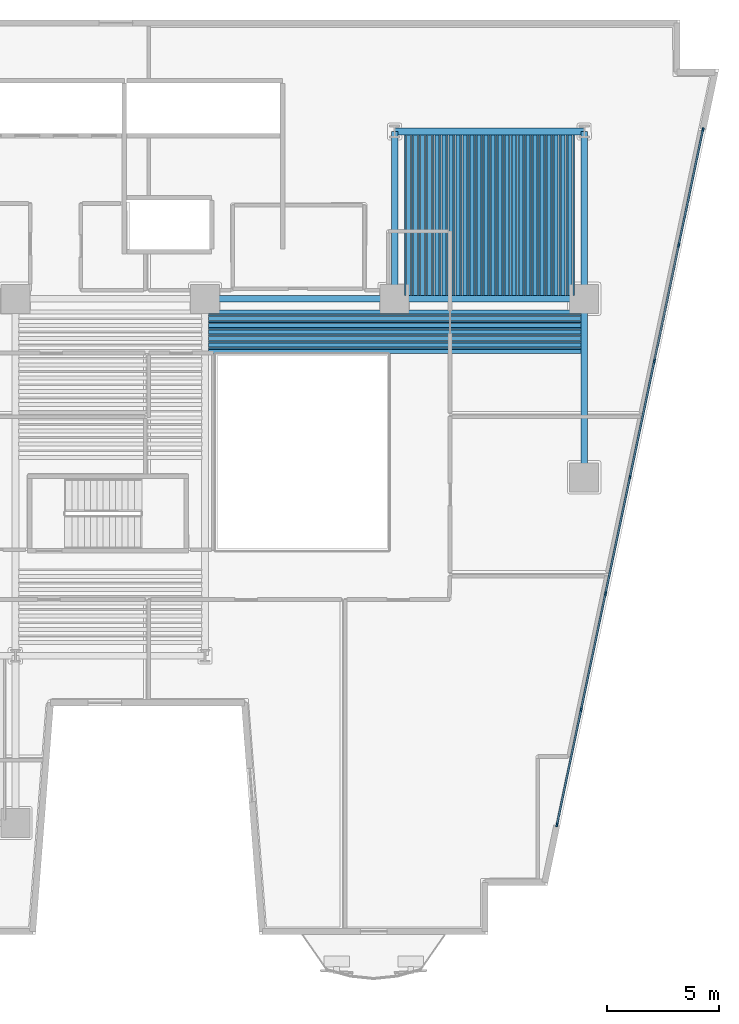
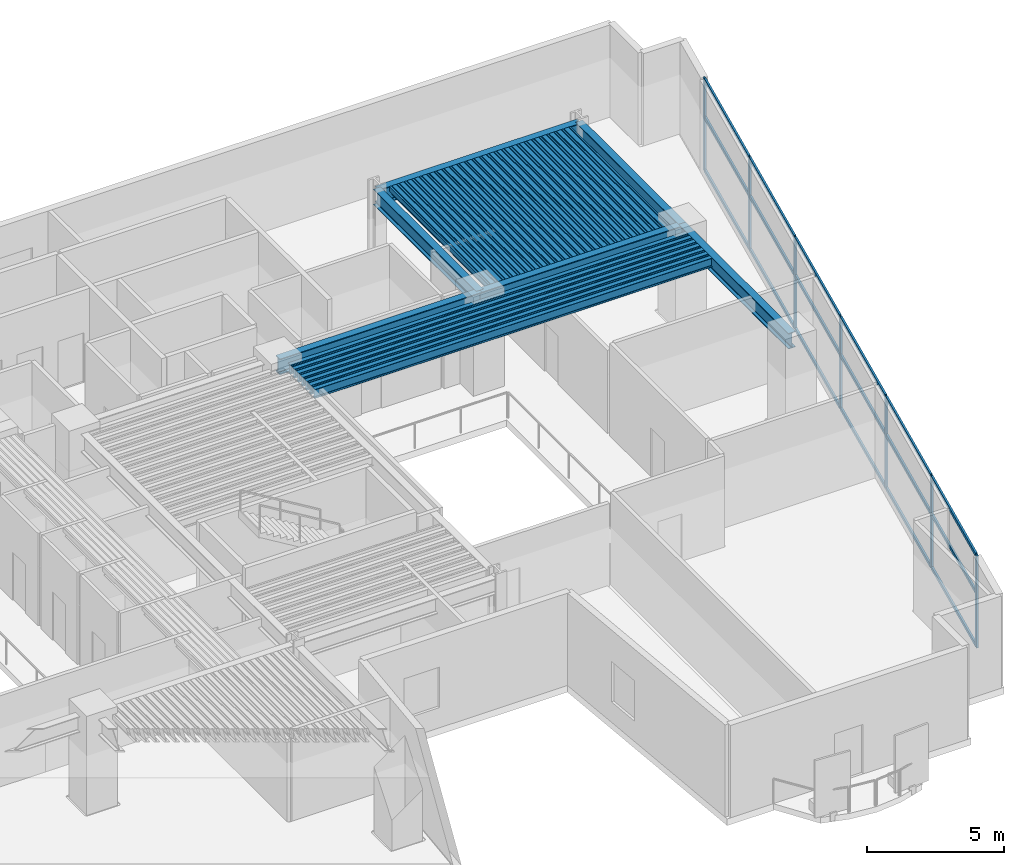
# One storey, part 2 of 11: 68 beams, 25 members, 1 element without a shape of its own.
"""IFC4 building model written with IfcOpenShell, lengths in metres."""

from ifc_helpers import new_model, si_unit, direction, frame, origin, origin_2d, place, context, subcontext, project, spatial, rectangle, hollow_rectangle, i_section, extrude, material, layer, layer_set, material_profile, profile_set, type_object, element, aggregate, save


model = new_model("IFC4")

# Units and contexts
model_context = context("Model", 3, precision=1e-05, world=origin(), true_north=direction((0.0, 1.0)))
body_context = subcontext(model_context, "Body", "Model", "MODEL_VIEW")
ifc_project = project(units=[si_unit("LENGTHUNIT", "METRE"), si_unit("AREAUNIT", "SQUARE_METRE"), si_unit("VOLUMEUNIT", "CUBIC_METRE"), si_unit("PLANEANGLEUNIT", "RADIAN"), si_unit("MASSUNIT", "GRAM", prefix="KILO")], contexts=[model_context])

# Site, building, storey
site_placement = place(None, origin())
site = spatial("IfcSite", under=ifc_project, at=site_placement, CompositionType="ELEMENT")
building_placement = place(site_placement, origin())
building = spatial("IfcBuilding", under=site, at=building_placement, Name="Caeloran Harvest Quay", CompositionType="ELEMENT")
storey_placement = place(building_placement, frame((0.0, 0.0, 53.39990234375)))
storey = spatial("IfcBuildingStorey", under=building, at=storey_placement, Name="L12", CompositionType="ELEMENT", Elevation=53.39990234375)

# Beams
ifc_material_1 = material(Name="Steel S355J2", Category="steel")
ifc_material_profile_1 = material_profile(ifc_material_1, i_section(OverallWidth=0.300048828125, OverallDepth=0.699951171875, WebThickness=0.01708984375, FlangeThickness=0.031982421875, FilletRadius=0.027099609375, at=origin_2d()), Name="HE 700 B")
ifc_profile_set_1 = profile_set([ifc_material_profile_1], Name="Steel S355J2")
beam_type_1 = type_object("IfcBeamType", Name="BM-PG-2-HE_700_B", PredefinedType="BEAM", material=ifc_profile_set_1)
for number, where, z_axis, x_axis, name in (
    (1, (34.0, 31.0, 3.75), (1.0, 0.0, 0.0), (0.0, 1.0, 0.0), "L12 Primary East-West Girder Y=31.0"),
    (2, (42.5, 31.0, 3.75), (1.0, 0.0, 0.0), (0.0, 1.0, 0.0), "L12 Primary East-West Girder Y=31.0"),
    (3, (42.5, 38.5, 3.75), (1.0, 0.0, 0.0), (0.0, 1.0, 0.0), "L12 Primary East-West Girder Y=38.5"),
):
    element("IfcBeam", number, at=place(storey_placement, frame(where, z_axis=z_axis, x_axis=x_axis)), inside=storey, type_object=beam_type_1, Name=name, PredefinedType="BEAM", context=body_context, shape_type="SweptSolid", body=[
        extrude(i_section(OverallWidth=0.300048828125, OverallDepth=0.699951171875, WebThickness=0.01708984375, FlangeThickness=0.031982421875, FilletRadius=0.027099609375, at=origin_2d()), origin(), (0.0, 0.0, 1.0), 8.5),
    ])
beam_1_placement = place(storey_placement, frame((42.5, 31.0, 3.75), z_axis=(0.0, 1.0, 0.0), x_axis=(-1.0, 0.0, 0.0)))
element("IfcBeam", 4, at=beam_1_placement, inside=storey, type_object=beam_type_1, Name="L12 Primary North-South Girder X=42.5", PredefinedType="BEAM", context=body_context, shape_type="SweptSolid", body=[
    extrude(i_section(OverallWidth=0.300048828125, OverallDepth=0.699951171875, WebThickness=0.01708984375, FlangeThickness=0.031982421875, FilletRadius=0.027099609375, at=origin_2d()), origin(), (0.0, 0.0, 1.0), 7.5),
])
beam_2_placement = place(storey_placement, frame((51.0, 23.0, 3.75), z_axis=(0.0, 1.0, 0.0), x_axis=(-1.0, 0.0, 0.0)))
element("IfcBeam", 5, at=beam_2_placement, inside=storey, type_object=beam_type_1, Name="L12 Primary North-South Girder X=51.0", PredefinedType="BEAM", context=body_context, shape_type="SweptSolid", body=[
    extrude(i_section(OverallWidth=0.300048828125, OverallDepth=0.699951171875, WebThickness=0.01708984375, FlangeThickness=0.031982421875, FilletRadius=0.027099609375, at=origin_2d()), origin(), (0.0, 0.0, 1.0), 8.0),
])
beam_3_placement = place(storey_placement, frame((51.0, 31.0, 3.75), z_axis=(0.0, 1.0, 0.0), x_axis=(-1.0, 0.0, 0.0)))
element("IfcBeam", 6, at=beam_3_placement, inside=storey, type_object=beam_type_1, Name="L12 Primary North-South Girder X=51.0", PredefinedType="BEAM", context=body_context, shape_type="SweptSolid", body=[
    extrude(i_section(OverallWidth=0.300048828125, OverallDepth=0.699951171875, WebThickness=0.01708984375, FlangeThickness=0.031982421875, FilletRadius=0.027099609375, at=origin_2d()), origin(), (0.0, 0.0, 1.0), 7.5),
])
ifc_material_profile_2 = material_profile(ifc_material_1, i_section(OverallWidth=0.179931640625, OverallDepth=0.39990234375, WebThickness=0.008544921875, FlangeThickness=0.013427734375, FilletRadius=0.02099609375, at=origin_2d()), Name="IPE 400")
ifc_profile_set_2 = profile_set([ifc_material_profile_2], Name="Steel S355J2")
beam_type_2 = type_object("IfcBeamType", Name="BM-SB-4-IPE_400", PredefinedType="JOIST", material=ifc_profile_set_2)
for number, where, z_axis, x_axis, name in (
    (7, (43.129638671875, 31.14501953125, 3.900146484375), (0.0, 1.0, 0.0), (-1.0, 0.0, 0.0), "L12 Secondary Composite Joist"),
    (8, (43.4443359375, 31.14501953125, 3.900146484375), (0.0, 1.0, 0.0), (-1.0, 0.0, 0.0), "L12 Secondary Composite Joist"),
    (9, (43.75927734375, 31.14501953125, 3.900146484375), (0.0, 1.0, 0.0), (-1.0, 0.0, 0.0), "L12 Secondary Composite Joist"),
    (10, (44.07421875, 31.14501953125, 3.900146484375), (0.0, 1.0, 0.0), (-1.0, 0.0, 0.0), "L12 Secondary Composite Joist"),
    (11, (44.388916015625, 31.14501953125, 3.900146484375), (0.0, 1.0, 0.0), (-1.0, 0.0, 0.0), "L12 Secondary Composite Joist"),
    (12, (44.70361328125, 31.14501953125, 3.900146484375), (0.0, 1.0, 0.0), (-1.0, 0.0, 0.0), "L12 Secondary Composite Joist"),
    (13, (45.0185546875, 31.14501953125, 3.900146484375), (0.0, 1.0, 0.0), (-1.0, 0.0, 0.0), "L12 Secondary Composite Joist"),
    (14, (45.333251953125, 31.14501953125, 3.900146484375), (0.0, 1.0, 0.0), (-1.0, 0.0, 0.0), "L12 Secondary Composite Joist"),
    (15, (45.648193359375, 31.14501953125, 3.900146484375), (0.0, 1.0, 0.0), (-1.0, 0.0, 0.0), "L12 Secondary Composite Joist"),
    (16, (45.962890625, 31.14501953125, 3.900146484375), (0.0, 1.0, 0.0), (-1.0, 0.0, 0.0), "L12 Secondary Composite Joist"),
    (17, (46.27783203125, 31.14501953125, 3.900146484375), (0.0, 1.0, 0.0), (-1.0, 0.0, 0.0), "L12 Secondary Composite Joist"),
    (18, (46.592529296875, 31.14501953125, 3.900146484375), (0.0, 1.0, 0.0), (-1.0, 0.0, 0.0), "L12 Secondary Composite Joist"),
    (19, (46.907470703125, 31.14501953125, 3.900146484375), (0.0, 1.0, 0.0), (-1.0, 0.0, 0.0), "L12 Secondary Composite Joist"),
    (20, (47.22216796875, 31.14501953125, 3.900146484375), (0.0, 1.0, 0.0), (-1.0, 0.0, 0.0), "L12 Secondary Composite Joist"),
    (21, (47.537109375, 31.14501953125, 3.900146484375), (0.0, 1.0, 0.0), (-1.0, 0.0, 0.0), "L12 Secondary Composite Joist"),
    (22, (47.851806640625, 31.14501953125, 3.900146484375), (0.0, 1.0, 0.0), (-1.0, 0.0, 0.0), "L12 Secondary Composite Joist"),
    (23, (48.166748046875, 31.14501953125, 3.900146484375), (0.0, 1.0, 0.0), (-1.0, 0.0, 0.0), "L12 Secondary Composite Joist"),
    (24, (48.4814453125, 31.14501953125, 3.900146484375), (0.0, 1.0, 0.0), (-1.0, 0.0, 0.0), "L12 Secondary Composite Joist"),
    (25, (48.79638671875, 31.14501953125, 3.900146484375), (0.0, 1.0, 0.0), (-1.0, 0.0, 0.0), "L12 Secondary Composite Joist"),
    (26, (49.111083984375, 31.14501953125, 3.900146484375), (0.0, 1.0, 0.0), (-1.0, 0.0, 0.0), "L12 Secondary Composite Joist"),
    (27, (49.42578125, 31.14501953125, 3.900146484375), (0.0, 1.0, 0.0), (-1.0, 0.0, 0.0), "L12 Secondary Composite Joist"),
    (28, (49.74072265625, 31.14501953125, 3.900146484375), (0.0, 1.0, 0.0), (-1.0, 0.0, 0.0), "L12 Secondary Composite Joist"),
    (29, (50.0556640625, 31.14501953125, 3.900146484375), (0.0, 1.0, 0.0), (-1.0, 0.0, 0.0), "L12 Secondary Composite Joist"),
    (30, (50.370361328125, 31.14501953125, 3.900146484375), (0.0, 1.0, 0.0), (-1.0, 0.0, 0.0), "L12 Secondary Composite Joist"),
):
    element("IfcBeam", number, at=place(storey_placement, frame(where, z_axis=z_axis, x_axis=x_axis)), inside=storey, type_object=beam_type_2, Name=name, PredefinedType="JOIST", context=body_context, shape_type="SweptSolid", body=[
        extrude(i_section(OverallWidth=0.179931640625, OverallDepth=0.39990234375, WebThickness=0.008544921875, FlangeThickness=0.013427734375, FilletRadius=0.02099609375, at=origin_2d()), origin(), (0.0, 0.0, 1.0), 7.2099609375),
    ])
for number, where, z_axis, x_axis, name in (
    (31, (34.14501953125, 28.629638671875, 3.900146484375), (1.0, 0.0, 0.0), (0.0, 1.0, 0.0), "L12 Secondary East-West Composite Joist"),
    (32, (34.14501953125, 28.92578125, 3.900146484375), (1.0, 0.0, 0.0), (0.0, 1.0, 0.0), "L12 Secondary East-West Composite Joist"),
    (33, (34.14501953125, 29.22216796875, 3.900146484375), (1.0, 0.0, 0.0), (0.0, 1.0, 0.0), "L12 Secondary East-West Composite Joist"),
    (34, (34.14501953125, 29.5185546875, 3.900146484375), (1.0, 0.0, 0.0), (0.0, 1.0, 0.0), "L12 Secondary East-West Composite Joist"),
    (35, (34.14501953125, 29.814697265625, 3.900146484375), (1.0, 0.0, 0.0), (0.0, 1.0, 0.0), "L12 Secondary East-West Composite Joist"),
    (36, (34.14501953125, 30.111083984375, 3.900146484375), (1.0, 0.0, 0.0), (0.0, 1.0, 0.0), "L12 Secondary East-West Composite Joist"),
    (37, (34.14501953125, 30.407470703125, 3.900146484375), (1.0, 0.0, 0.0), (0.0, 1.0, 0.0), "L12 Secondary East-West Composite Joist"),
):
    element("IfcBeam", number, at=place(storey_placement, frame(where, z_axis=z_axis, x_axis=x_axis)), inside=storey, type_object=beam_type_2, Name=name, PredefinedType="JOIST", context=body_context, shape_type="SweptSolid", body=[
        extrude(i_section(OverallWidth=0.179931640625, OverallDepth=0.39990234375, WebThickness=0.008544921875, FlangeThickness=0.013427734375, FilletRadius=0.02099609375, at=origin_2d()), origin(), (0.0, 0.0, 1.0), 16.7099609375),
    ])
ifc_material_profile_3 = material_profile(ifc_material_1, hollow_rectangle(XDim=0.080078125, YDim=0.199951171875, WallThickness=0.006103515625, InnerFilletRadius=0.006103515625, OuterFilletRadius=0.009033203125, at=origin_2d()), Name="RHS 200x80x6")
ifc_profile_set_3 = profile_set([ifc_material_profile_3], Name="Steel S355J2")
beam_type_3 = type_object("IfcBeamType", Name="BM-SB-7-RHS_200x80x6", PredefinedType="JOIST", material=ifc_profile_set_3)
for number, where, z_axis, x_axis, name in (
    (38, (42.97216796875, 31.14501953125, 4.0), (0.0, 1.0, 0.0), (-1.0, 0.0, 0.0), "L12 Secondary Composite Joist"),
    (39, (43.287109375, 31.14501953125, 4.0), (0.0, 1.0, 0.0), (-1.0, 0.0, 0.0), "L12 Secondary Composite Joist"),
    (40, (43.601806640625, 31.14501953125, 4.0), (0.0, 1.0, 0.0), (-1.0, 0.0, 0.0), "L12 Secondary Composite Joist"),
    (41, (43.916748046875, 31.14501953125, 4.0), (0.0, 1.0, 0.0), (-1.0, 0.0, 0.0), "L12 Secondary Composite Joist"),
    (42, (44.2314453125, 31.14501953125, 4.0), (0.0, 1.0, 0.0), (-1.0, 0.0, 0.0), "L12 Secondary Composite Joist"),
    (43, (44.54638671875, 31.14501953125, 4.0), (0.0, 1.0, 0.0), (-1.0, 0.0, 0.0), "L12 Secondary Composite Joist"),
    (44, (44.861083984375, 31.14501953125, 4.0), (0.0, 1.0, 0.0), (-1.0, 0.0, 0.0), "L12 Secondary Composite Joist"),
    (45, (45.17578125, 31.14501953125, 4.0), (0.0, 1.0, 0.0), (-1.0, 0.0, 0.0), "L12 Secondary Composite Joist"),
    (46, (45.49072265625, 31.14501953125, 4.0), (0.0, 1.0, 0.0), (-1.0, 0.0, 0.0), "L12 Secondary Composite Joist"),
    (47, (45.8056640625, 31.14501953125, 4.0), (0.0, 1.0, 0.0), (-1.0, 0.0, 0.0), "L12 Secondary Composite Joist"),
    (48, (46.120361328125, 31.14501953125, 4.0), (0.0, 1.0, 0.0), (-1.0, 0.0, 0.0), "L12 Secondary Composite Joist"),
    (49, (46.435302734375, 31.14501953125, 4.0), (0.0, 1.0, 0.0), (-1.0, 0.0, 0.0), "L12 Secondary Composite Joist"),
    (50, (46.75, 31.14501953125, 4.0), (0.0, 1.0, 0.0), (-1.0, 0.0, 0.0), "L12 Secondary Composite Joist"),
    (51, (47.064697265625, 31.14501953125, 4.0), (0.0, 1.0, 0.0), (-1.0, 0.0, 0.0), "L12 Secondary Composite Joist"),
    (52, (47.379638671875, 31.14501953125, 4.0), (0.0, 1.0, 0.0), (-1.0, 0.0, 0.0), "L12 Secondary Composite Joist"),
    (53, (47.6943359375, 31.14501953125, 4.0), (0.0, 1.0, 0.0), (-1.0, 0.0, 0.0), "L12 Secondary Composite Joist"),
    (54, (48.00927734375, 31.14501953125, 4.0), (0.0, 1.0, 0.0), (-1.0, 0.0, 0.0), "L12 Secondary Composite Joist"),
    (55, (48.32421875, 31.14501953125, 4.0), (0.0, 1.0, 0.0), (-1.0, 0.0, 0.0), "L12 Secondary Composite Joist"),
    (56, (48.638916015625, 31.14501953125, 4.0), (0.0, 1.0, 0.0), (-1.0, 0.0, 0.0), "L12 Secondary Composite Joist"),
    (57, (48.95361328125, 31.14501953125, 4.0), (0.0, 1.0, 0.0), (-1.0, 0.0, 0.0), "L12 Secondary Composite Joist"),
    (58, (49.2685546875, 31.14501953125, 4.0), (0.0, 1.0, 0.0), (-1.0, 0.0, 0.0), "L12 Secondary Composite Joist"),
    (59, (49.583251953125, 31.14501953125, 4.0), (0.0, 1.0, 0.0), (-1.0, 0.0, 0.0), "L12 Secondary Composite Joist"),
    (60, (49.898193359375, 31.14501953125, 4.0), (0.0, 1.0, 0.0), (-1.0, 0.0, 0.0), "L12 Secondary Composite Joist"),
    (61, (50.212890625, 31.14501953125, 4.0), (0.0, 1.0, 0.0), (-1.0, 0.0, 0.0), "L12 Secondary Composite Joist"),
    (62, (50.52783203125, 31.14501953125, 4.0), (0.0, 1.0, 0.0), (-1.0, 0.0, 0.0), "L12 Secondary Composite Joist"),
):
    element("IfcBeam", number, at=place(storey_placement, frame(where, z_axis=z_axis, x_axis=x_axis)), inside=storey, type_object=beam_type_3, Name=name, PredefinedType="JOIST", context=body_context, shape_type="SweptSolid", body=[
        extrude(hollow_rectangle(XDim=0.080078125, YDim=0.199951171875, WallThickness=0.006103515625, InnerFilletRadius=0.006103515625, OuterFilletRadius=0.009033203125, at=origin_2d()), origin(), (0.0, 0.0, 1.0), 7.2099609375),
    ])
for number, where, z_axis, x_axis, name in (
    (63, (34.14501953125, 28.77783203125, 4.0), (1.0, 0.0, 0.0), (0.0, 1.0, 0.0), "L12 Secondary East-West Composite Joist"),
    (64, (34.14501953125, 29.07421875, 4.0), (1.0, 0.0, 0.0), (0.0, 1.0, 0.0), "L12 Secondary East-West Composite Joist"),
    (65, (34.14501953125, 29.370361328125, 4.0), (1.0, 0.0, 0.0), (0.0, 1.0, 0.0), "L12 Secondary East-West Composite Joist"),
    (66, (34.14501953125, 29.666748046875, 4.0), (1.0, 0.0, 0.0), (0.0, 1.0, 0.0), "L12 Secondary East-West Composite Joist"),
    (67, (34.14501953125, 29.962890625, 4.0), (1.0, 0.0, 0.0), (0.0, 1.0, 0.0), "L12 Secondary East-West Composite Joist"),
    (68, (34.14501953125, 30.25927734375, 4.0), (1.0, 0.0, 0.0), (0.0, 1.0, 0.0), "L12 Secondary East-West Composite Joist"),
):
    element("IfcBeam", number, at=place(storey_placement, frame(where, z_axis=z_axis, x_axis=x_axis)), inside=storey, type_object=beam_type_3, Name=name, PredefinedType="JOIST", context=body_context, shape_type="SweptSolid", body=[
        extrude(hollow_rectangle(XDim=0.080078125, YDim=0.199951171875, WallThickness=0.006103515625, InnerFilletRadius=0.006103515625, OuterFilletRadius=0.009033203125, at=origin_2d()), origin(), (0.0, 0.0, 1.0), 16.7099609375),
    ])

# Curtain wall, members
ifc_material_2 = material(Name="Aluminium 6063-T6 and Low-E Glazing", Category="aluminium")
ifc_layer = layer(ifc_material_2, 0.199951171875, Name="Aluminium 6063-T6 and Low-E Glazing")
ifc_layer_set = layer_set([ifc_layer], Name="Aluminium 6063-T6 and Low-E Glazing")
curtain_wall_type = type_object("IfcCurtainWallType", Name="CW-SYS-CW-2", PredefinedType="USERDEFINED", material=ifc_layer_set)
curtain_wall_placement = place(storey_placement, origin())
curtain_wall = element("IfcCurtainWall", 69, at=curtain_wall_placement, inside=storey, type_object=curtain_wall_type, Name="L12 Unitised Curtain Wall CW-2 Run 9", ObjectType="CURTAIN_WALL", PredefinedType="USERDEFINED")
ifc_material_3 = material(Name="Aluminium 6063-T6", Category="aluminium")
ifc_material_profile_4 = material_profile(ifc_material_3, rectangle(XDim=0.080078125, YDim=0.179931640625, at=origin_2d()), Name="CW-MULLION-180")
ifc_profile_set_4 = profile_set([ifc_material_profile_4], Name="Aluminium 6063-T6")
member_type_1 = type_object("IfcMemberType", Name="CW-MULLION-180", PredefinedType="MULLION", material=ifc_profile_set_4)
member_1_placement = place(storey_placement, frame((56.322509765625, 38.576416015625, 0.0), z_axis=(0.0, 0.0, 1.0), x_axis=(0.978639691881, -0.205582960081, 0.0)))
member_1 = element("IfcMember", 70, at=member_1_placement, type_object=member_type_1, Name="CW-2 mullion 1", PredefinedType="MULLION", context=body_context, shape_type="SweptSolid", body=[
    extrude(rectangle(XDim=0.080078125, YDim=0.179931640625, at=origin_2d()), origin(), (0.0, 0.0, 1.0), 4.10009765625),
])
member_2_placement = place(storey_placement, frame((55.2373046875, 33.410400390625, 0.0), z_axis=(0.0, 0.0, 1.0), x_axis=(0.978639691881, -0.205582960081, 0.0)))
member_2 = element("IfcMember", 71, at=member_2_placement, type_object=member_type_1, Name="CW-2 mullion 2", PredefinedType="MULLION", context=body_context, shape_type="SweptSolid", body=[
    extrude(rectangle(XDim=0.080078125, YDim=0.179931640625, at=origin_2d()), origin(), (0.0, 0.0, 1.0), 4.10009765625),
])
member_3_placement = place(storey_placement, frame((54.143798828125, 28.205078125, 0.0), z_axis=(0.0, 0.0, 1.0), x_axis=(0.978639691881, -0.205582960081, 0.0)))
member_3 = element("IfcMember", 72, at=member_3_placement, type_object=member_type_1, Name="CW-2 mullion 3", PredefinedType="MULLION", context=body_context, shape_type="SweptSolid", body=[
    extrude(rectangle(XDim=0.080078125, YDim=0.179931640625, at=origin_2d()), origin(), (0.0, 0.0, 1.0), 4.10009765625),
])
member_4_placement = place(storey_placement, frame((53.050537109375, 23.0, 0.0), z_axis=(0.0, 0.0, 1.0), x_axis=(0.978639691881, -0.205582960081, 0.0)))
member_4 = element("IfcMember", 73, at=member_4_placement, type_object=member_type_1, Name="CW-2 mullion 4", PredefinedType="MULLION", context=body_context, shape_type="SweptSolid", body=[
    extrude(rectangle(XDim=0.080078125, YDim=0.179931640625, at=origin_2d()), origin(), (0.0, 0.0, 1.0), 4.10009765625),
])
member_5_placement = place(storey_placement, frame((51.95703125, 17.794921875, 0.0), z_axis=(0.0, 0.0, 1.0), x_axis=(0.978639691881, -0.205582960081, 0.0)))
member_5 = element("IfcMember", 74, at=member_5_placement, type_object=member_type_1, Name="CW-2 mullion 5", PredefinedType="MULLION", context=body_context, shape_type="SweptSolid", body=[
    extrude(rectangle(XDim=0.080078125, YDim=0.179931640625, at=origin_2d()), origin(), (0.0, 0.0, 1.0), 4.10009765625),
])
member_6_placement = place(storey_placement, frame((50.863525390625, 12.589599609375, 0.0), z_axis=(0.0, 0.0, 1.0), x_axis=(0.978639691881, -0.205582960081, 0.0)))
member_6 = element("IfcMember", 75, at=member_6_placement, type_object=member_type_1, Name="CW-2 mullion 6", PredefinedType="MULLION", context=body_context, shape_type="SweptSolid", body=[
    extrude(rectangle(XDim=0.080078125, YDim=0.179931640625, at=origin_2d()), origin(), (0.0, 0.0, 1.0), 4.10009765625),
])
member_7_placement = place(storey_placement, frame((49.7783203125, 7.423583984375, 0.0), z_axis=(0.0, 0.0, 1.0), x_axis=(0.978639691881, -0.205582960081, 0.0)))
member_7 = element("IfcMember", 76, at=member_7_placement, type_object=member_type_1, Name="CW-2 mullion 7", PredefinedType="MULLION", context=body_context, shape_type="SweptSolid", body=[
    extrude(rectangle(XDim=0.080078125, YDim=0.179931640625, at=origin_2d()), origin(), (0.0, 0.0, 1.0), 4.10009765625),
])
ifc_material_profile_5 = material_profile(ifc_material_3, rectangle(XDim=0.080078125, YDim=0.14990234375, at=origin_2d()), Name="CW-TRANSOM-150")
ifc_profile_set_5 = profile_set([ifc_material_profile_5], Name="Aluminium 6063-T6")
member_type_2 = type_object("IfcMemberType", Name="CW-TRANSOM-150", PredefinedType="USERDEFINED", material=ifc_profile_set_5)
member_8_placement = place(storey_placement, frame((56.314453125, 38.537109375, 0.0400390625), z_axis=(-0.205598644178, -0.978636396989, 0.0), x_axis=(0.978636396989, -0.205598644178, 0.0)))
member_8 = element("IfcMember", 77, at=member_8_placement, type_object=member_type_2, Name="CW-2 transom 1.1", ObjectType="TRANSOM", PredefinedType="USERDEFINED", context=body_context, shape_type="SweptSolid", body=[
    extrude(rectangle(XDim=0.080078125, YDim=0.14990234375, at=origin_2d()), origin(), (0.0, 0.0, 1.0), 5.19873046875),
])
member_9_placement = place(storey_placement, frame((56.314453125, 38.537109375, 2.400146484375), z_axis=(-0.205598644178, -0.978636396989, 0.0), x_axis=(0.978636396989, -0.205598644178, 0.0)))
member_9 = element("IfcMember", 78, at=member_9_placement, type_object=member_type_2, Name="CW-2 transom 1.2", ObjectType="TRANSOM", PredefinedType="USERDEFINED", context=body_context, shape_type="SweptSolid", body=[
    extrude(rectangle(XDim=0.080078125, YDim=0.14990234375, at=origin_2d()), origin(), (0.0, 0.0, 1.0), 5.19873046875),
])
member_10_placement = place(storey_placement, frame((56.314453125, 38.537109375, 4.06005859375), z_axis=(-0.205598644178, -0.978636396989, 0.0), x_axis=(0.978636396989, -0.205598644178, 0.0)))
member_10 = element("IfcMember", 79, at=member_10_placement, type_object=member_type_2, Name="CW-2 transom 1.3", ObjectType="TRANSOM", PredefinedType="USERDEFINED", context=body_context, shape_type="SweptSolid", body=[
    extrude(rectangle(XDim=0.080078125, YDim=0.14990234375, at=origin_2d()), origin(), (0.0, 0.0, 1.0), 5.19873046875),
])
member_11_placement = place(storey_placement, frame((55.229248046875, 33.37109375, 0.0400390625), z_axis=(-0.205615877389, -0.97863277636, 0.0), x_axis=(0.97863277636, -0.205615877389, 0.0)))
member_11 = element("IfcMember", 80, at=member_11_placement, type_object=member_type_2, Name="CW-2 transom 2.1", ObjectType="TRANSOM", PredefinedType="USERDEFINED", context=body_context, shape_type="SweptSolid", body=[
    extrude(rectangle(XDim=0.080078125, YDim=0.14990234375, at=origin_2d()), origin(), (0.0, 0.0, 1.0), 5.238525390625),
])
member_12_placement = place(storey_placement, frame((55.229248046875, 33.37109375, 2.400146484375), z_axis=(-0.205615877389, -0.97863277636, 0.0), x_axis=(0.97863277636, -0.205615877389, 0.0)))
member_12 = element("IfcMember", 81, at=member_12_placement, type_object=member_type_2, Name="CW-2 transom 2.2", ObjectType="TRANSOM", PredefinedType="USERDEFINED", context=body_context, shape_type="SweptSolid", body=[
    extrude(rectangle(XDim=0.080078125, YDim=0.14990234375, at=origin_2d()), origin(), (0.0, 0.0, 1.0), 5.238525390625),
])
member_13_placement = place(storey_placement, frame((55.229248046875, 33.37109375, 4.06005859375), z_axis=(-0.205615877389, -0.97863277636, 0.0), x_axis=(0.97863277636, -0.205615877389, 0.0)))
member_13 = element("IfcMember", 82, at=member_13_placement, type_object=member_type_2, Name="CW-2 transom 2.3", ObjectType="TRANSOM", PredefinedType="USERDEFINED", context=body_context, shape_type="SweptSolid", body=[
    extrude(rectangle(XDim=0.080078125, YDim=0.14990234375, at=origin_2d()), origin(), (0.0, 0.0, 1.0), 5.238525390625),
])
member_14_placement = place(storey_placement, frame((54.1357421875, 28.166015625, 0.0400390625), z_axis=(-0.205606500081, -0.978634746534, 0.0), x_axis=(0.978634746534, -0.205606500081, 0.0)))
member_14 = element("IfcMember", 83, at=member_14_placement, type_object=member_type_2, Name="CW-2 transom 3.1", ObjectType="TRANSOM", PredefinedType="USERDEFINED", context=body_context, shape_type="SweptSolid", body=[
    extrude(rectangle(XDim=0.080078125, YDim=0.14990234375, at=origin_2d()), origin(), (0.0, 0.0, 1.0), 5.23876953125),
])
member_15_placement = place(storey_placement, frame((54.1357421875, 28.166015625, 2.400146484375), z_axis=(-0.205606500081, -0.978634746534, 0.0), x_axis=(0.978634746534, -0.205606500081, 0.0)))
member_15 = element("IfcMember", 84, at=member_15_placement, type_object=member_type_2, Name="CW-2 transom 3.2", ObjectType="TRANSOM", PredefinedType="USERDEFINED", context=body_context, shape_type="SweptSolid", body=[
    extrude(rectangle(XDim=0.080078125, YDim=0.14990234375, at=origin_2d()), origin(), (0.0, 0.0, 1.0), 5.23876953125),
])
member_16_placement = place(storey_placement, frame((54.1357421875, 28.166015625, 4.06005859375), z_axis=(-0.205606500081, -0.978634746534, 0.0), x_axis=(0.978634746534, -0.205606500081, 0.0)))
member_16 = element("IfcMember", 85, at=member_16_placement, type_object=member_type_2, Name="CW-2 transom 3.3", ObjectType="TRANSOM", PredefinedType="USERDEFINED", context=body_context, shape_type="SweptSolid", body=[
    extrude(rectangle(XDim=0.080078125, YDim=0.14990234375, at=origin_2d()), origin(), (0.0, 0.0, 1.0), 5.23876953125),
])
member_17_placement = place(storey_placement, frame((53.042236328125, 22.9609375, 0.0400390625), z_axis=(-0.205561867825, -0.978644122496, 0.0), x_axis=(0.978644122496, -0.205561867825, 0.0)))
member_17 = element("IfcMember", 86, at=member_17_placement, type_object=member_type_2, Name="CW-2 transom 4.1", ObjectType="TRANSOM", PredefinedType="USERDEFINED", context=body_context, shape_type="SweptSolid", body=[
    extrude(rectangle(XDim=0.080078125, YDim=0.14990234375, at=origin_2d()), origin(), (0.0, 0.0, 1.0), 5.23876953125),
])
member_18_placement = place(storey_placement, frame((53.042236328125, 22.9609375, 2.400146484375), z_axis=(-0.205561867825, -0.978644122496, 0.0), x_axis=(0.978644122496, -0.205561867825, 0.0)))
member_18 = element("IfcMember", 87, at=member_18_placement, type_object=member_type_2, Name="CW-2 transom 4.2", ObjectType="TRANSOM", PredefinedType="USERDEFINED", context=body_context, shape_type="SweptSolid", body=[
    extrude(rectangle(XDim=0.080078125, YDim=0.14990234375, at=origin_2d()), origin(), (0.0, 0.0, 1.0), 5.23876953125),
])
member_19_placement = place(storey_placement, frame((53.042236328125, 22.9609375, 4.06005859375), z_axis=(-0.205561867825, -0.978644122496, 0.0), x_axis=(0.978644122496, -0.205561867825, 0.0)))
member_19 = element("IfcMember", 88, at=member_19_placement, type_object=member_type_2, Name="CW-2 transom 4.3", ObjectType="TRANSOM", PredefinedType="USERDEFINED", context=body_context, shape_type="SweptSolid", body=[
    extrude(rectangle(XDim=0.080078125, YDim=0.14990234375, at=origin_2d()), origin(), (0.0, 0.0, 1.0), 5.23876953125),
])
member_20_placement = place(storey_placement, frame((51.94873046875, 17.755615234375, 0.0400390625), z_axis=(-0.205571243277, -0.978642153158, 0.0), x_axis=(0.978642153158, -0.205571243277, 0.0)))
member_20 = element("IfcMember", 89, at=member_20_placement, type_object=member_type_2, Name="CW-2 transom 5.1", ObjectType="TRANSOM", PredefinedType="USERDEFINED", context=body_context, shape_type="SweptSolid", body=[
    extrude(rectangle(XDim=0.080078125, YDim=0.14990234375, at=origin_2d()), origin(), (0.0, 0.0, 1.0), 5.238525390625),
])
member_21_placement = place(storey_placement, frame((51.94873046875, 17.755615234375, 2.400146484375), z_axis=(-0.205571243277, -0.978642153158, 0.0), x_axis=(0.978642153158, -0.205571243277, 0.0)))
member_21 = element("IfcMember", 90, at=member_21_placement, type_object=member_type_2, Name="CW-2 transom 5.2", ObjectType="TRANSOM", PredefinedType="USERDEFINED", context=body_context, shape_type="SweptSolid", body=[
    extrude(rectangle(XDim=0.080078125, YDim=0.14990234375, at=origin_2d()), origin(), (0.0, 0.0, 1.0), 5.238525390625),
])
member_22_placement = place(storey_placement, frame((51.94873046875, 17.755615234375, 4.06005859375), z_axis=(-0.205571243277, -0.978642153158, 0.0), x_axis=(0.978642153158, -0.205571243277, 0.0)))
member_22 = element("IfcMember", 91, at=member_22_placement, type_object=member_type_2, Name="CW-2 transom 5.3", ObjectType="TRANSOM", PredefinedType="USERDEFINED", context=body_context, shape_type="SweptSolid", body=[
    extrude(rectangle(XDim=0.080078125, YDim=0.14990234375, at=origin_2d()), origin(), (0.0, 0.0, 1.0), 5.238525390625),
])
member_23_placement = place(storey_placement, frame((50.855224609375, 12.550537109375, 0.0400390625), z_axis=(-0.205553666865, -0.978645845052, 0.0), x_axis=(0.978645845052, -0.205553666865, 0.0)))
member_23 = element("IfcMember", 92, at=member_23_placement, type_object=member_type_2, Name="CW-2 transom 6.1", ObjectType="TRANSOM", PredefinedType="USERDEFINED", context=body_context, shape_type="SweptSolid", body=[
    extrude(rectangle(XDim=0.080078125, YDim=0.14990234375, at=origin_2d()), origin(), (0.0, 0.0, 1.0), 5.19873046875),
])
member_24_placement = place(storey_placement, frame((50.855224609375, 12.550537109375, 2.400146484375), z_axis=(-0.205553666865, -0.978645845052, 0.0), x_axis=(0.978645845052, -0.205553666865, 0.0)))
member_24 = element("IfcMember", 93, at=member_24_placement, type_object=member_type_2, Name="CW-2 transom 6.2", ObjectType="TRANSOM", PredefinedType="USERDEFINED", context=body_context, shape_type="SweptSolid", body=[
    extrude(rectangle(XDim=0.080078125, YDim=0.14990234375, at=origin_2d()), origin(), (0.0, 0.0, 1.0), 5.19873046875),
])
member_25_placement = place(storey_placement, frame((50.855224609375, 12.550537109375, 4.06005859375), z_axis=(-0.205553666865, -0.978645845052, 0.0), x_axis=(0.978645845052, -0.205553666865, 0.0)))
member_25 = element("IfcMember", 94, at=member_25_placement, type_object=member_type_2, Name="CW-2 transom 6.3", ObjectType="TRANSOM", PredefinedType="USERDEFINED", context=body_context, shape_type="SweptSolid", body=[
    extrude(rectangle(XDim=0.080078125, YDim=0.14990234375, at=origin_2d()), origin(), (0.0, 0.0, 1.0), 5.19873046875),
])
aggregate(curtain_wall, [member_1, member_2, member_3, member_4, member_5, member_6, member_7, member_8, member_9, member_10, member_11, member_12, member_13, member_14, member_15, member_16, member_17, member_18, member_19, member_20, member_21, member_22, member_23, member_24, member_25])

save(model, "model.ifc")
